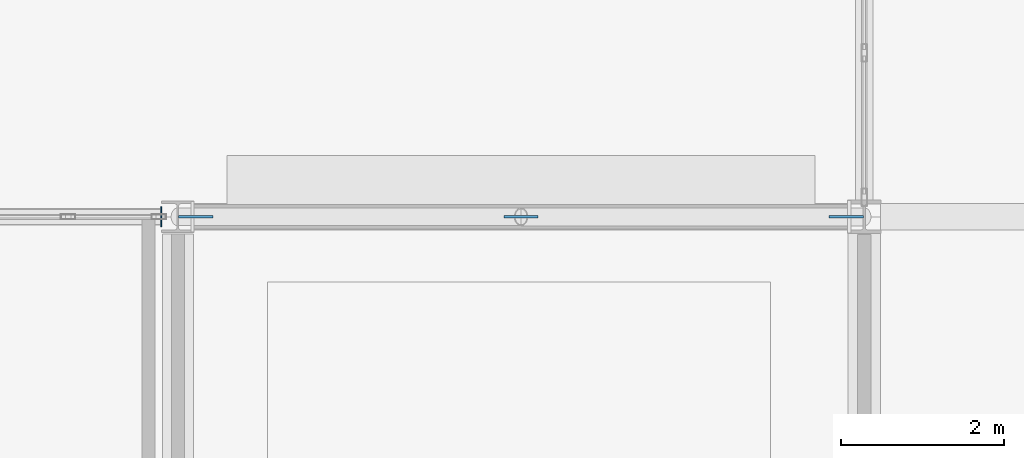
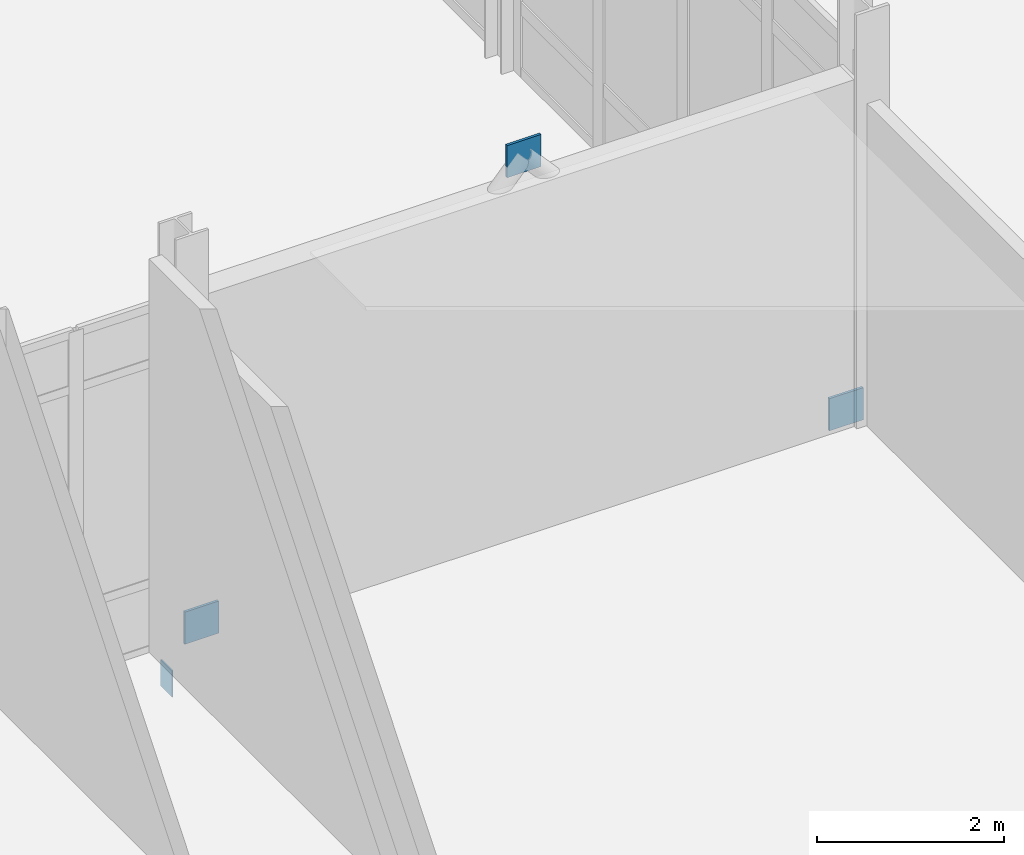
# One storey, part 162 of 229: 4 plates.
"""IFC4 building model written with IfcOpenShell, lengths in metres."""

from ifc_helpers import new_model, si_unit, direction, frame, origin, origin_2d, place, context, subcontext, project, spatial, rectangle, extrude, material, layer, layer_set, type_object, element, save


model = new_model("IFC4")

# Units and contexts
model_context = context("Model", 3, precision=1e-05, world=origin(), true_north=direction((0.0, 1.0)))
body_context = subcontext(model_context, "Body", "Model", "MODEL_VIEW")
ifc_project = project(units=[si_unit("LENGTHUNIT", "METRE"), si_unit("AREAUNIT", "SQUARE_METRE"), si_unit("VOLUMEUNIT", "CUBIC_METRE"), si_unit("PLANEANGLEUNIT", "RADIAN"), si_unit("MASSUNIT", "GRAM", prefix="KILO")], contexts=[model_context])

# Site, building, storey
site_placement = place(None, origin())
site = spatial("IfcSite", under=ifc_project, at=site_placement, CompositionType="ELEMENT")
building_placement = place(site_placement, origin())
building = spatial("IfcBuilding", under=site, at=building_placement, Name="Calvrana Isthmian Art Gallery", CompositionType="ELEMENT")
storey_placement = place(building_placement, origin())
storey = spatial("IfcBuildingStorey", under=building, at=storey_placement, Name="L00", CompositionType="ELEMENT", Elevation=0.0)

# Plates
ifc_material = material(Name="Steel ASTM A572 Gr 50", Category="steel")
ifc_layer_1 = layer(ifc_material, 0.01611328125, Name="Steel ASTM A572 Gr 50")
ifc_layer_set_1 = layer_set([ifc_layer_1], Name="Steel ASTM A572 Gr 50")
plate_type_1 = type_object("IfcPlateType", Name="PL-CAP-16", PredefinedType="SHEET", material=ifc_layer_set_1)
plate_placement = place(storey_placement, frame((46.596923828125, 46.800048828125, -0.60986328125), z_axis=(0.0, 0.0, 1.0), x_axis=(1.0, 0.0, 0.0)))
element("IfcPlate", 1, at=plate_placement, inside=storey, type_object=plate_type_1, Name="Hollow section end cap plate 386", PredefinedType="SHEET", context=body_context, shape_type="SweptSolid", body=[
    extrude(rectangle(XDim=0.01611328125, YDim=0.2431640625, at=origin_2d()), origin(), (0.0, 0.0, 1.0), 0.3447265625),
])
ifc_layer_2 = layer(ifc_material, 0.031982421875, Name="Steel ASTM A572 Gr 50")
ifc_layer_set_2 = layer_set([ifc_layer_2], Name="Steel ASTM A572 Gr 50")
plate_type_2 = type_object("IfcPlateType", Name="PL-GUSSET-32", PredefinedType="USERDEFINED", material=ifc_layer_set_2)
for number, where, z_axis, x_axis, name in (
    (2, (47.02001953125, 46.800048828125, -0.06005859375), (0.0, 0.0, 1.0), (1.0, 0.0, 0.0), "Chevron brace gusset plate L00-2L"),
    (3, (51.0, 46.800048828125, 4.63916015625), (0.0, 0.0, 1.0), (1.0, 0.0, 0.0), "Chevron brace gusset plate L00-2M"),
    (4, (54.97998046875, 46.800048828125, -0.06005859375), (0.0, 0.0, 1.0), (1.0, 0.0, 0.0), "Chevron brace gusset plate L00-2R"),
):
    element("IfcPlate", number, at=place(storey_placement, frame(where, z_axis=z_axis, x_axis=x_axis)), inside=storey, type_object=plate_type_2, Name=name, ObjectType="GUSSET PLATE", PredefinedType="USERDEFINED", context=body_context, shape_type="SweptSolid", body=[
        extrude(rectangle(XDim=0.419921875, YDim=0.031982421875, at=origin_2d()), origin(), (0.0, 0.0, 1.0), 0.419921875),
    ])

save(model, "model.ifc")
